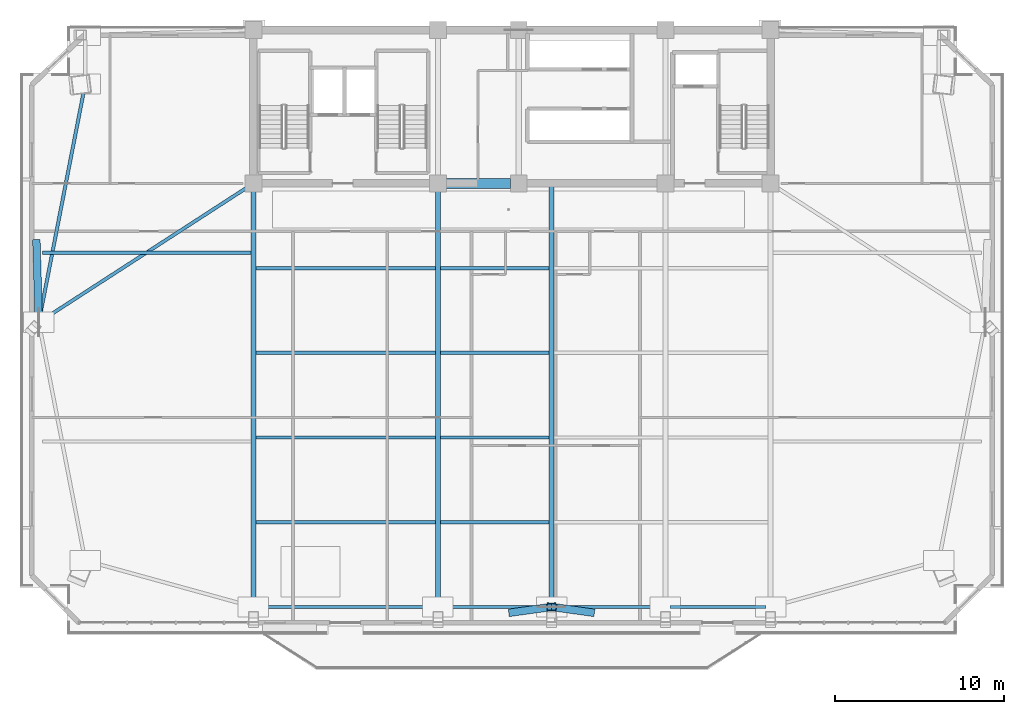
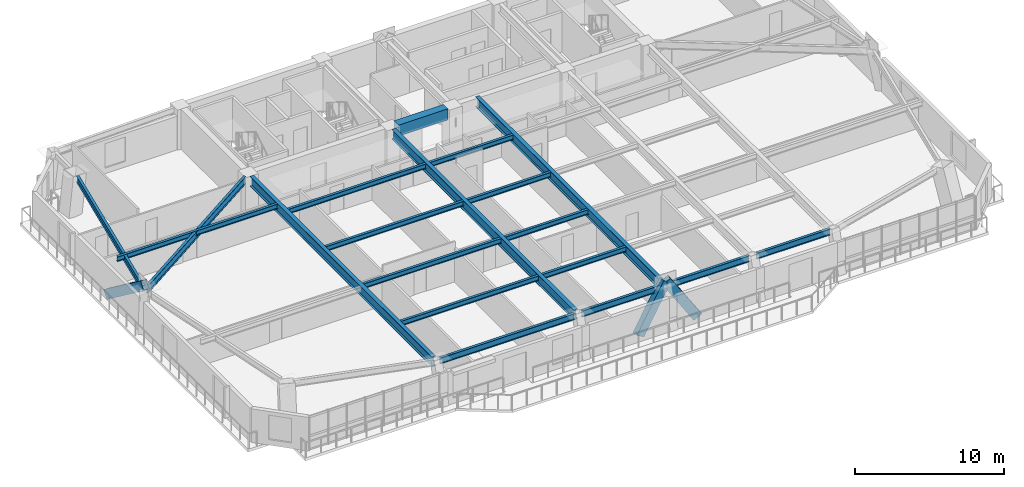
# One storey, part 3 of 16: 19 beams, 3 members.
"""IFC4 building model written with IfcOpenShell, lengths in metres."""

from ifc_helpers import new_model, si_unit, direction, frame, origin, origin_2d, place, context, subcontext, project, spatial, rectangle, hollow_rectangle, i_section, extrude, source, transform, mapped, material, material_profile, profile_set, type_object, element, save


model = new_model("IFC4")

# Units and contexts
model_context = context("Model", 3, precision=1e-05, world=origin(), true_north=direction((0.0, 1.0)))
body_context = subcontext(model_context, "Body", "Model", "MODEL_VIEW")
ifc_project = project(units=[si_unit("LENGTHUNIT", "METRE"), si_unit("AREAUNIT", "SQUARE_METRE"), si_unit("VOLUMEUNIT", "CUBIC_METRE"), si_unit("PLANEANGLEUNIT", "RADIAN"), si_unit("MASSUNIT", "GRAM", prefix="KILO")], contexts=[model_context])

# Site, building, storey
site_placement = place(None, origin())
site = spatial("IfcSite", under=ifc_project, at=site_placement, CompositionType="ELEMENT")
building_placement = place(site_placement, origin())
building = spatial("IfcBuilding", under=site, at=building_placement, Name="Giltprow Tower", CompositionType="ELEMENT")
storey_placement = place(building_placement, frame((0.0, 0.0, 209.699951171875)))
storey = spatial("IfcBuildingStorey", under=building, at=storey_placement, Name="L53", CompositionType="ELEMENT", Elevation=209.699951171875)

# Beams
ifc_material_1 = material(Name="Structural steel Q355B", Category="steel")
ifc_material_profile_1 = material_profile(ifc_material_1, i_section(OverallWidth=0.199951171875, OverallDepth=0.5, WebThickness=0.010009765625, FlangeThickness=0.01611328125, at=origin_2d()), Name="HN 500x200x10x16")
ifc_profile_set_1 = profile_set([ifc_material_profile_1], Name="Structural steel Q355B")
beam_type_1 = type_object("IfcBeamType", Name="BM-SPAN-HN500", PredefinedType="SPANDREL", material=ifc_profile_set_1)
shared_shape_1 = source(origin(), body_context, "Body", "SweptSolid", [
    extrude(i_section(OverallWidth=0.199951171875, OverallDepth=0.5, WebThickness=0.010009765625, FlangeThickness=0.01611328125, at=origin_2d()), origin(), (0.0, 0.0, 1.0), 5.679931640625),
])
beam_1_placement = place(storey_placement, frame((44.5849609375, 12.318115234375, 3.02001953125), z_axis=(1.0, 0.0, 0.0), x_axis=(0.0, 1.0, 0.0)))
element("IfcBeam", 1, at=beam_1_placement, inside=storey, type_object=beam_type_1, Name="L53 Perimeter Spandrel Beam S3-S4", PredefinedType="SPANDREL", context=body_context, shape_type="MappedRepresentation", body=[
    mapped(shared_shape_1, transform((0.0, 0.0, 0.0), x_axis=(1.0, 0.0, 0.0), y_axis=(0.0, 1.0, 0.0), z_axis=(0.0, 0.0, 1.0), scale=1.0)),
])
ifc_material_2 = material(Name="Concrete C50", Category="concrete")
ifc_material_profile_2 = material_profile(ifc_material_2, rectangle(XDim=0.60009765625, YDim=0.89990234375, at=origin_2d()), Name="RC 900x600")
ifc_profile_set_2 = profile_set([ifc_material_profile_2], Name="Concrete C50")
beam_type_2 = type_object("IfcBeamType", Name="BM-CPL-RC900", PredefinedType="LINTEL", material=ifc_profile_set_2)
shared_shape_2 = source(origin(), body_context, "Body", "SweptSolid", [
    extrude(rectangle(XDim=0.60009765625, YDim=0.89990234375, at=origin_2d()), origin(), (0.0, 0.0, 1.0), 3.830078125),
])
beam_2_placement = place(storey_placement, frame((31.284912109375, 37.449951171875, 2.820068359375), z_axis=(1.0, 0.0, 0.0), x_axis=(0.0, 1.0, 0.0)))
element("IfcBeam", 2, at=beam_2_placement, inside=storey, type_object=beam_type_2, Name="L53 Core Coupling Beam CB-1", PredefinedType="LINTEL", context=body_context, shape_type="MappedRepresentation", body=[
    mapped(shared_shape_2, transform((0.0, 0.0, 0.0), x_axis=(1.0, 0.0, 0.0), y_axis=(0.0, 1.0, 0.0), z_axis=(0.0, 0.0, 1.0), scale=1.0)),
])
shared_shape_3 = source(origin(), body_context, "Body", "SweptSolid", [
    extrude(i_section(OverallWidth=0.199951171875, OverallDepth=0.5, WebThickness=0.010009765625, FlangeThickness=0.01611328125, at=origin_2d()), origin(), (0.0, 0.0, 1.0), 10.3798828125),
])
beam_3_placement = place(storey_placement, frame((20.135009765625, 12.318115234375, 3.02001953125), z_axis=(1.0, 0.0, 0.0), x_axis=(0.0, 1.0, 0.0)))
element("IfcBeam", 3, at=beam_3_placement, inside=storey, type_object=beam_type_1, Name="L53 Perimeter Spandrel Beam S1-S2", PredefinedType="SPANDREL", context=body_context, shape_type="MappedRepresentation", body=[
    mapped(shared_shape_3, transform((0.0, 0.0, 0.0), x_axis=(1.0, 0.0, 0.0), y_axis=(0.0, 1.0, 0.0), z_axis=(0.0, 0.0, 1.0), scale=1.0)),
])
shared_shape_4 = source(origin(), body_context, "Body", "SweptSolid", [
    extrude(i_section(OverallWidth=0.199951171875, OverallDepth=0.5, WebThickness=0.010009765625, FlangeThickness=0.01611328125, at=origin_2d()), origin(), (0.0, 0.0, 1.0), 6.179931640625),
])
for number, where, z_axis, x_axis, name in (
    (4, (31.0849609375, 12.318115234375, 3.02001953125), (1.0, 0.0, 0.0), (0.0, 1.0, 0.0), "L53 Perimeter Spandrel Beam S2-S_MID"),
    (5, (37.8349609375, 12.318115234375, 3.02001953125), (1.0, 0.0, 0.0), (0.0, 1.0, 0.0), "L53 Perimeter Spandrel Beam S_MID-S3"),
):
    element("IfcBeam", number, at=place(storey_placement, frame(where, z_axis=z_axis, x_axis=x_axis)), inside=storey, type_object=beam_type_1, Name=name, PredefinedType="SPANDREL", context=body_context, shape_type="MappedRepresentation", body=[
        mapped(shared_shape_4, transform((0.0, 0.0, 0.0), x_axis=(1.0, 0.0, 0.0), y_axis=(0.0, 1.0, 0.0), z_axis=(0.0, 0.0, 1.0), scale=1.0)),
    ])
ifc_material_profile_3 = material_profile(ifc_material_1, i_section(OverallWidth=0.199951171875, OverallDepth=0.39990234375, WebThickness=0.008056640625, FlangeThickness=0.012939453125, at=origin_2d()), Name="HN 400x200x8x13")
ifc_profile_set_3 = profile_set([ifc_material_profile_3], Name="Structural steel Q355B")
beam_type_3 = type_object("IfcBeamType", Name="BM-JOIST-HN400", PredefinedType="JOIST", material=ifc_profile_set_3)
shared_shape_5 = source(origin(), body_context, "Body", "SweptSolid", [
    extrude(i_section(OverallWidth=0.199951171875, OverallDepth=0.39990234375, WebThickness=0.008056640625, FlangeThickness=0.012939453125, at=origin_2d()), origin(), (0.0, 0.0, 1.0), 10.659912109375),
])
for number, where, z_axis, x_axis, name in (
    (6, (19.9951171875, 17.343994140625, 3.070068359375), (1.0, 0.0, 0.0), (0.0, 1.0, 0.0), "L53 Composite Floor Joist 1-1"),
    (7, (19.9951171875, 22.37109375, 3.070068359375), (1.0, 0.0, 0.0), (0.0, 1.0, 0.0), "L53 Composite Floor Joist 2-1"),
    (8, (19.9951171875, 27.39697265625, 3.070068359375), (1.0, 0.0, 0.0), (0.0, 1.0, 0.0), "L53 Composite Floor Joist 3-1"),
    (9, (19.9951171875, 32.424072265625, 3.070068359375), (1.0, 0.0, 0.0), (0.0, 1.0, 0.0), "L53 Composite Floor Joist 4-1"),
):
    element("IfcBeam", number, at=place(storey_placement, frame(where, z_axis=z_axis, x_axis=x_axis)), inside=storey, type_object=beam_type_3, Name=name, PredefinedType="JOIST", context=body_context, shape_type="MappedRepresentation", body=[
        mapped(shared_shape_5, transform((0.0, 0.0, 0.0), x_axis=(1.0, 0.0, 0.0), y_axis=(0.0, 1.0, 0.0), z_axis=(0.0, 0.0, 1.0), scale=1.0)),
    ])
shared_shape_6 = source(origin(), body_context, "Body", "SweptSolid", [
    extrude(i_section(OverallWidth=0.199951171875, OverallDepth=0.39990234375, WebThickness=0.008056640625, FlangeThickness=0.012939453125, at=origin_2d()), origin(), (0.0, 0.0, 1.0), 6.4599609375),
])
for number, where, z_axis, x_axis, name in (
    (10, (30.945068359375, 17.343994140625, 3.070068359375), (1.0, 0.0, 0.0), (0.0, 1.0, 0.0), "L53 Composite Floor Joist 1-2"),
    (11, (30.945068359375, 22.37109375, 3.070068359375), (1.0, 0.0, 0.0), (0.0, 1.0, 0.0), "L53 Composite Floor Joist 2-2"),
    (12, (30.945068359375, 27.39697265625, 3.070068359375), (1.0, 0.0, 0.0), (0.0, 1.0, 0.0), "L53 Composite Floor Joist 3-2"),
    (13, (30.945068359375, 32.424072265625, 3.070068359375), (1.0, 0.0, 0.0), (0.0, 1.0, 0.0), "L53 Composite Floor Joist 4-2"),
):
    element("IfcBeam", number, at=place(storey_placement, frame(where, z_axis=z_axis, x_axis=x_axis)), inside=storey, type_object=beam_type_3, Name=name, PredefinedType="JOIST", context=body_context, shape_type="MappedRepresentation", body=[
        mapped(shared_shape_6, transform((0.0, 0.0, 0.0), x_axis=(1.0, 0.0, 0.0), y_axis=(0.0, 1.0, 0.0), z_axis=(0.0, 0.0, 1.0), scale=1.0)),
    ])
shared_shape_7 = source(origin(), body_context, "Body", "SweptSolid", [
    extrude(i_section(OverallWidth=0.199951171875, OverallDepth=0.5, WebThickness=0.010009765625, FlangeThickness=0.01611328125, at=origin_2d()), origin(), (0.0, 0.0, 1.0), 13.582763671875),
])
beam_4_placement = place(storey_placement, frame((9.77001953125, 42.821044921875, 3.02001953125), z_axis=(-0.19126414203, -0.981538602386, 0.0), x_axis=(0.981538602386, -0.19126414203, 0.0)))
element("IfcBeam", 14, at=beam_4_placement, inside=storey, type_object=beam_type_1, Name="L53 Perimeter Spandrel Beam MC_NW-W_MID", PredefinedType="SPANDREL", context=body_context, shape_type="MappedRepresentation", body=[
    mapped(shared_shape_7, transform((0.0, 0.0, 0.0), x_axis=(1.0, 0.0, 0.0), y_axis=(0.0, 1.0, 0.0), z_axis=(0.0, 0.0, 1.0), scale=1.0)),
])
ifc_material_profile_4 = material_profile(ifc_material_1, i_section(OverallWidth=0.300048828125, OverallDepth=0.800048828125, WebThickness=0.013916015625, FlangeThickness=0.02587890625, at=origin_2d()), Name="HN 800x300x14x26")
ifc_profile_set_4 = profile_set([ifc_material_profile_4], Name="Structural steel Q355B")
beam_type_4 = type_object("IfcBeamType", Name="BM-GIRD-HN800", PredefinedType="BEAM", material=ifc_profile_set_4)
shared_shape_8 = source(origin(), body_context, "Body", "SweptSolid", [
    extrude(i_section(OverallWidth=0.300048828125, OverallDepth=0.800048828125, WebThickness=0.013916015625, FlangeThickness=0.02587890625, at=origin_2d()), origin(), (0.0, 0.0, 1.0), 24.362060546875),
])
for number, where, z_axis, x_axis, name in (
    (15, (19.85009765625, 12.60302734375, 2.8701171875), (0.0, 1.0, 0.0), (-1.0, 0.0, 0.0), "L53 Primary Lease Girder S1"),
    (16, (30.800048828125, 12.60302734375, 2.8701171875), (0.0, 1.0, 0.0), (-1.0, 0.0, 0.0), "L53 Primary Lease Girder S2"),
):
    element("IfcBeam", number, at=place(storey_placement, frame(where, z_axis=z_axis, x_axis=x_axis)), inside=storey, type_object=beam_type_4, Name=name, PredefinedType="BEAM", context=body_context, shape_type="MappedRepresentation", body=[
        mapped(shared_shape_8, transform((0.0, 0.0, 0.0), x_axis=(1.0, 0.0, 0.0), y_axis=(0.0, 1.0, 0.0), z_axis=(0.0, 0.0, 1.0), scale=1.0)),
    ])
shared_shape_9 = source(origin(), body_context, "Body", "SweptSolid", [
    extrude(i_section(OverallWidth=0.300048828125, OverallDepth=0.800048828125, WebThickness=0.013916015625, FlangeThickness=0.02587890625, at=origin_2d()), origin(), (0.0, 0.0, 1.0), 25.1318359375),
])
beam_5_placement = place(storey_placement, frame((37.550048828125, 12.318115234375, 2.8701171875), z_axis=(0.0, 1.0, 0.0), x_axis=(-1.0, 0.0, 0.0)))
element("IfcBeam", 17, at=beam_5_placement, inside=storey, type_object=beam_type_4, Name="L53 Central Lease Girder SMID", PredefinedType="BEAM", context=body_context, shape_type="MappedRepresentation", body=[
    mapped(shared_shape_9, transform((0.0, 0.0, 0.0), x_axis=(1.0, 0.0, 0.0), y_axis=(0.0, 1.0, 0.0), z_axis=(0.0, 0.0, 1.0), scale=1.0)),
])
ifc_material_profile_5 = material_profile(ifc_material_1, i_section(OverallWidth=0.199951171875, OverallDepth=0.60009765625, WebThickness=0.010986328125, FlangeThickness=0.01708984375, at=origin_2d()), Name="HN 600x200x11x17")
ifc_profile_set_5 = profile_set([ifc_material_profile_5], Name="Structural steel Q355B")
beam_type_5 = type_object("IfcBeamType", Name="BM-GIRD-HN600", PredefinedType="BEAM", material=ifc_profile_set_5)
shared_shape_10 = source(origin(), body_context, "Body", "SweptSolid", [
    extrude(i_section(OverallWidth=0.199951171875, OverallDepth=0.60009765625, WebThickness=0.010986328125, FlangeThickness=0.01708984375, at=origin_2d()), origin(), (0.0, 0.0, 1.0), 14.396484375),
])
beam_6_placement = place(storey_placement, frame((7.35693359375, 29.364013671875, 2.969970703125), z_axis=(0.839521015988, 0.543327216063, 0.0), x_axis=(-0.543327216063, 0.839521015988, 0.0)))
element("IfcBeam", 18, at=beam_6_placement, inside=storey, type_object=beam_type_5, Name="L53 West Wing Primary Girder", PredefinedType="BEAM", context=body_context, shape_type="MappedRepresentation", body=[
    mapped(shared_shape_10, transform((0.0, 0.0, 0.0), x_axis=(1.0, 0.0, 0.0), y_axis=(0.0, 1.0, 0.0), z_axis=(0.0, 0.0, 1.0), scale=1.0)),
])
shared_shape_11 = source(origin(), body_context, "Body", "SweptSolid", [
    extrude(i_section(OverallWidth=0.199951171875, OverallDepth=0.39990234375, WebThickness=0.008056640625, FlangeThickness=0.012939453125, at=origin_2d()), origin(), (0.0, 0.0, 1.0), 12.3671875),
])
beam_7_placement = place(storey_placement, frame((7.337890625, 33.330078125, 3.070068359375), z_axis=(1.0, 0.0, 0.0), x_axis=(0.0, 1.0, 0.0)))
element("IfcBeam", 19, at=beam_7_placement, inside=storey, type_object=beam_type_3, Name="L53 West Wing Floor Joist 2", PredefinedType="JOIST", context=body_context, shape_type="MappedRepresentation", body=[
    mapped(shared_shape_11, transform((0.0, 0.0, 0.0), x_axis=(1.0, 0.0, 0.0), y_axis=(0.0, 1.0, 0.0), z_axis=(0.0, 0.0, 1.0), scale=1.0)),
])

# Members
ifc_material_3 = material(Name="Structural steel Q420GJC", Category="steel")
ifc_material_profile_6 = material_profile(ifc_material_3, hollow_rectangle(XDim=0.449951171875, YDim=0.699951171875, WallThickness=0.031982421875, at=origin_2d()), Name="RHS 700x450x32")
ifc_profile_set_6 = profile_set([ifc_material_profile_6], Name="Structural steel Q420GJC")
member_type = type_object("IfcMemberType", Name="MBR-MEGA-RHS700", PredefinedType="BRACE", material=ifc_profile_set_6)
shared_shape_12 = source(origin(), body_context, "Body", "SweptSolid", [
    extrude(hollow_rectangle(XDim=0.449951171875, YDim=0.699951171875, WallThickness=0.031982421875, at=origin_2d()), origin(), (0.0, 0.0, 1.0), 4.17236328125),
])
for number, where, z_axis, x_axis, name in (
    (20, (35.300048828125, 12.007080078125, 0.0), (0.539253007767, 0.074545174902, 0.838838012082), (-0.136935639325, 0.990579946639, 0.0), "L53 Chevron Mega-Brace S-L"),
    (21, (39.800048828125, 12.007080078125, 0.0), (-0.539253007767, 0.074545174902, 0.838838012082), (-0.136935639325, -0.990579946639, 0.0), "L53 Chevron Mega-Brace S-R"),
):
    element("IfcMember", number, at=place(storey_placement, frame(where, z_axis=z_axis, x_axis=x_axis)), inside=storey, type_object=member_type, Name=name, PredefinedType="BRACE", context=body_context, shape_type="MappedRepresentation", body=[
        mapped(shared_shape_12, transform((0.0, 0.0, 0.0), x_axis=(1.0, 0.0, 0.0), y_axis=(0.0, 1.0, 0.0), z_axis=(0.0, 0.0, 1.0), scale=1.0)),
    ])
shared_shape_13 = source(origin(), body_context, "Body", "SweptSolid", [
    extrude(hollow_rectangle(XDim=0.449951171875, YDim=0.699951171875, WallThickness=0.031982421875, at=origin_2d()), origin(), (0.0, 0.0, 1.0), 5.859375),
])
member_placement = place(storey_placement, frame((6.97998046875, 33.906005859375, 0.0), z_axis=(0.023542090878, -0.801639444949, 0.597344097032), x_axis=(0.999569055735, 0.029354775014, 0.0)))
element("IfcMember", 22, at=member_placement, inside=storey, type_object=member_type, Name="L53 Chevron Mega-Brace W-R", PredefinedType="BRACE", context=body_context, shape_type="MappedRepresentation", body=[
    mapped(shared_shape_13, transform((0.0, 0.0, 0.0), x_axis=(1.0, 0.0, 0.0), y_axis=(0.0, 1.0, 0.0), z_axis=(0.0, 0.0, 1.0), scale=1.0)),
])

save(model, "model.ifc")
